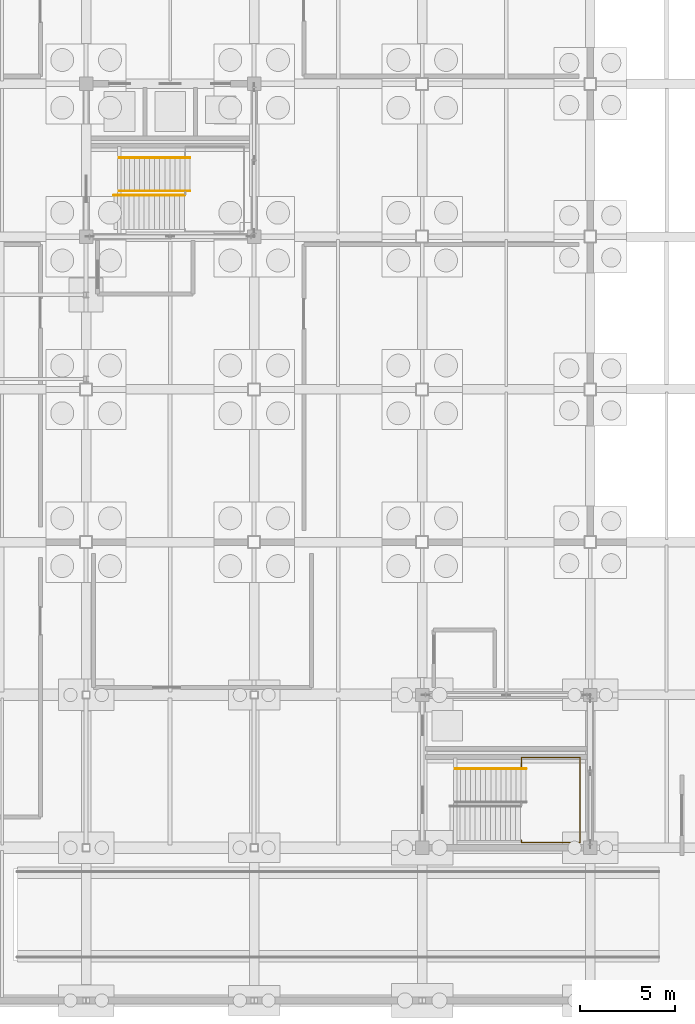
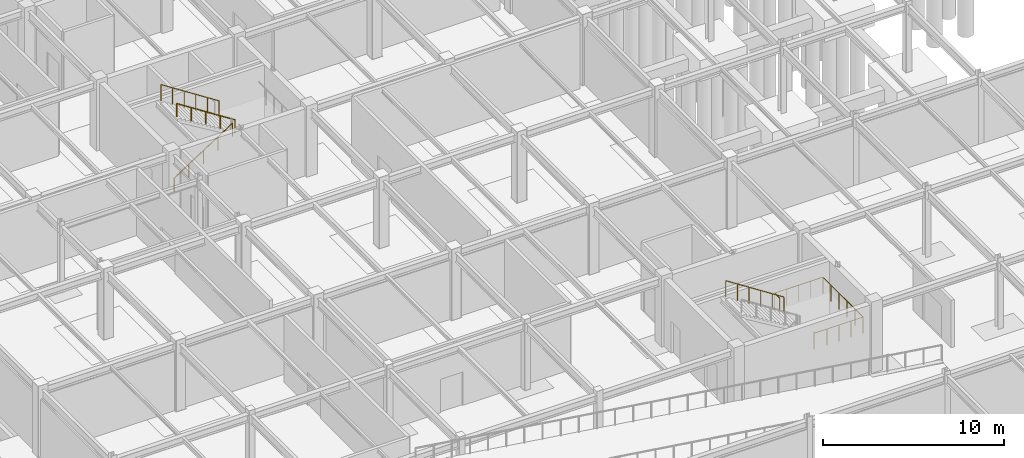
# One storey, part 67 of 72: 5 railings.
"""IFC4 building model written with IfcOpenShell, lengths in metres."""

from ifc_helpers import new_model, si_unit, direction, frame, origin, origin_2d, place, context, subcontext, project, spatial, circle, extrude, material, type_object, element, save


model = new_model("IFC4")

# Units and contexts
model_context = context("Model", 3, precision=1e-05, world=origin(), true_north=direction((0.0, 1.0)))
body_context = subcontext(model_context, "Body", "Model", "MODEL_VIEW")
ifc_project = project(units=[si_unit("LENGTHUNIT", "METRE"), si_unit("AREAUNIT", "SQUARE_METRE"), si_unit("VOLUMEUNIT", "CUBIC_METRE"), si_unit("PLANEANGLEUNIT", "RADIAN"), si_unit("MASSUNIT", "GRAM", prefix="KILO")], contexts=[model_context])

# Site, building, storey
site_placement = place(None, origin())
site = spatial("IfcSite", under=ifc_project, at=site_placement, CompositionType="ELEMENT")
building_placement = place(site_placement, origin())
building = spatial("IfcBuilding", under=site, at=building_placement, Name="Zhaolan Boulevard Law Courts", CompositionType="ELEMENT")
storey_placement = place(building_placement, frame((0.0, 0.0, -4.800048828125)))
storey = spatial("IfcBuildingStorey", under=building, at=storey_placement, Name="B1", CompositionType="ELEMENT", Elevation=-4.800048828125)

# Railings
ifc_material_1 = material(Name="Brushed stainless steel tubular handrail", Category="steel")
railing_type_1 = type_object("IfcRailingType", Name="STAIR HANDRAIL 900", PredefinedType="HANDRAIL", material=ifc_material_1)
railing_1_placement = place(storey_placement, frame((19.050048828125, 48.169921875, 0.0)))
element("IfcRailing", 1, at=railing_1_placement, inside=storey, type_object=railing_type_1, Name="Stair Handrail HR-ST01-B1-1", PredefinedType="HANDRAIL", context=body_context, shape_type="SweptSolid", body=[
    extrude(circle(Radius=0.0224609375, at=origin_2d()), frame((0.0, 0.0, 0.87744140625), z_axis=(0.839613143467, 0.0, 0.543184838999), x_axis=(0.0, 1.0, 0.0)), (0.0, 0.0, 1.0), 4.418701171875),
    extrude(circle(Radius=0.01904296875, at=origin_2d()), origin(), (0.0, 0.0, 1.0), 0.85498046875),
    extrude(circle(Radius=0.01904296875, at=origin_2d()), frame((0.927490234375, 0.0, 0.60009765625)), (0.0, 0.0, 1.0), 0.85498046875),
    extrude(circle(Radius=0.01904296875, at=origin_2d()), frame((1.85498046875, 0.0, 1.2001953125)), (0.0, 0.0, 1.0), 0.85498046875),
    extrude(circle(Radius=0.01904296875, at=origin_2d()), frame((2.782470703125, 0.0, 1.800048828125)), (0.0, 0.0, 1.0), 0.85498046875),
    extrude(circle(Radius=0.01904296875, at=origin_2d()), frame((3.7099609375, 0.0, 2.400146484375)), (0.0, 0.0, 1.0), 0.85498046875),
])
railing_2_placement = place(storey_placement, frame((23.044921875, 48.389892578125, 2.400146484375)))
element("IfcRailing", 2, at=railing_2_placement, inside=storey, type_object=railing_type_1, Name="Stair Handrail HR-ST01-B1-2", PredefinedType="HANDRAIL", context=body_context, shape_type="SweptSolid", body=[
    extrude(circle(Radius=0.0224609375, at=origin_2d()), frame((0.0, 0.0, 0.87744140625), z_axis=(-0.839638341943, 0.0, 0.543145887161), x_axis=(0.0, -1.0, 0.0)), (0.0, 0.0, 1.0), 4.41845703125),
    extrude(circle(Radius=0.01904296875, at=origin_2d()), origin(), (0.0, 0.0, 1.0), 0.85498046875),
    extrude(circle(Radius=0.01904296875, at=origin_2d()), frame((-0.927490234375, 0.0, 0.60009765625)), (0.0, 0.0, 1.0), 0.85498046875),
    extrude(circle(Radius=0.01904296875, at=origin_2d()), frame((-1.85498046875, 0.0, 1.199951171875)), (0.0, 0.0, 1.0), 0.85498046875),
    extrude(circle(Radius=0.01904296875, at=origin_2d()), frame((-2.782470703125, 0.0, 1.7998046875)), (0.0, 0.0, 1.0), 0.85498046875),
    extrude(circle(Radius=0.01904296875, at=origin_2d()), frame((-3.7099609375, 0.0, 2.39990234375)), (0.0, 0.0, 1.0), 0.85498046875),
])
ifc_material_2 = material(Name="Powder-coated steel baluster guardrail", Category="steel")
railing_type_2 = type_object("IfcRailingType", Name="STAIR WELL GUARDRAIL 1120", PredefinedType="GUARDRAIL", material=ifc_material_2)
railing_3_placement = place(storey_placement, frame((23.044921875, 50.139892578125, 2.400146484375)))
element("IfcRailing", 3, at=railing_3_placement, inside=storey, type_object=railing_type_2, Name="Flight Guardrail SG-ST01-B1-F2", PredefinedType="GUARDRAIL", context=body_context, shape_type="SweptSolid", body=[
    extrude(circle(Radius=0.02392578125, at=origin_2d()), frame((0.0, 0.0, 1.09619140625), z_axis=(-0.839638341943, 0.0, 0.543145887161), x_axis=(0.0, -1.0, 0.0)), (0.0, 0.0, 1.0), 4.41845703125),
    extrude(circle(Radius=0.02099609375, at=origin_2d()), origin(), (0.0, 0.0, 1.0), 1.072021484375),
    extrude(circle(Radius=0.02099609375, at=origin_2d()), frame((-0.741943359375, 0.0, 0.47998046875)), (0.0, 0.0, 1.0), 1.072021484375),
    extrude(circle(Radius=0.02099609375, at=origin_2d()), frame((-1.48388671875, 0.0, 0.9599609375)), (0.0, 0.0, 1.0), 1.072021484375),
    extrude(circle(Radius=0.02099609375, at=origin_2d()), frame((-2.22607421875, 0.0, 1.43994140625)), (0.0, 0.0, 1.0), 1.072021484375),
    extrude(circle(Radius=0.02099609375, at=origin_2d()), frame((-2.968017578125, 0.0, 1.919921875)), (0.0, 0.0, 1.0), 1.072021484375),
    extrude(circle(Radius=0.02099609375, at=origin_2d()), frame((-3.7099609375, 0.0, 2.39990234375)), (0.0, 0.0, 1.0), 1.072021484375),
])
railing_4_placement = place(storey_placement, frame((40.389892578125, 14.39990234375, 2.400146484375)))
element("IfcRailing", 4, at=railing_4_placement, inside=storey, type_object=railing_type_2, Name="Half-Landing Guardrail SG-ST04-B1-M", PredefinedType="GUARDRAIL", context=body_context, shape_type="SweptSolid", body=[
    extrude(circle(Radius=0.02392578125, at=origin_2d()), frame((0.0, 0.0, 1.09619140625), z_axis=(0.0, -1.0, 0.0), x_axis=(1.0, 0.0, 0.0)), (0.0, 0.0, 1.0), 0.119873046875),
    extrude(circle(Radius=0.02392578125, at=origin_2d()), frame((0.0, -0.119873046875, 1.09619140625), z_axis=(1.0, 0.0, 0.0), x_axis=(0.0, 1.0, 0.0)), (0.0, 0.0, 1.0), 3.080078125),
    extrude(circle(Radius=0.02392578125, at=origin_2d()), frame((3.080078125, -0.119873046875, 1.09619140625), z_axis=(0.0, 1.0, 0.0), x_axis=(-1.0, 0.0, 0.0)), (0.0, 0.0, 1.0), 4.43994140625),
    extrude(circle(Radius=0.02392578125, at=origin_2d()), frame((3.080078125, 4.320068359375, 1.09619140625), z_axis=(-1.0, 0.0, 0.0), x_axis=(0.0, -1.0, 0.0)), (0.0, 0.0, 1.0), 3.080078125),
    extrude(circle(Radius=0.02392578125, at=origin_2d()), frame((0.0, 4.320068359375, 1.09619140625), z_axis=(0.0, -1.0, 0.0), x_axis=(1.0, 0.0, 0.0)), (0.0, 0.0, 1.0), 0.56005859375),
    extrude(circle(Radius=0.02099609375, at=origin_2d()), origin(), (0.0, 0.0, 1.0), 1.072021484375),
    extrude(circle(Radius=0.02099609375, at=origin_2d()), frame((0.0, -0.119873046875, 0.0)), (0.0, 0.0, 1.0), 1.072021484375),
    extrude(circle(Radius=0.02099609375, at=origin_2d()), frame((0.77001953125, -0.119873046875, 0.0)), (0.0, 0.0, 1.0), 1.072021484375),
    extrude(circle(Radius=0.02099609375, at=origin_2d()), frame((1.5400390625, -0.119873046875, 0.0)), (0.0, 0.0, 1.0), 1.072021484375),
    extrude(circle(Radius=0.02099609375, at=origin_2d()), frame((2.31005859375, -0.119873046875, 0.0)), (0.0, 0.0, 1.0), 1.072021484375),
    extrude(circle(Radius=0.02099609375, at=origin_2d()), frame((3.080078125, -0.119873046875, 0.0)), (0.0, 0.0, 1.0), 1.072021484375),
    extrude(circle(Radius=0.02099609375, at=origin_2d()), frame((3.080078125, 0.76806640625, 0.0)), (0.0, 0.0, 1.0), 1.072021484375),
    extrude(circle(Radius=0.02099609375, at=origin_2d()), frame((3.080078125, 1.656005859375, 0.0)), (0.0, 0.0, 1.0), 1.072021484375),
    extrude(circle(Radius=0.02099609375, at=origin_2d()), frame((3.080078125, 2.544189453125, 0.0)), (0.0, 0.0, 1.0), 1.072021484375),
    extrude(circle(Radius=0.02099609375, at=origin_2d()), frame((3.080078125, 3.43212890625, 0.0)), (0.0, 0.0, 1.0), 1.072021484375),
    extrude(circle(Radius=0.02099609375, at=origin_2d()), frame((3.080078125, 4.320068359375, 0.0)), (0.0, 0.0, 1.0), 1.072021484375),
    extrude(circle(Radius=0.02099609375, at=origin_2d()), frame((2.31005859375, 4.320068359375, 0.0)), (0.0, 0.0, 1.0), 1.072021484375),
    extrude(circle(Radius=0.02099609375, at=origin_2d()), frame((1.5400390625, 4.320068359375, 0.0)), (0.0, 0.0, 1.0), 1.072021484375),
    extrude(circle(Radius=0.02099609375, at=origin_2d()), frame((0.77001953125, 4.320068359375, 0.0)), (0.0, 0.0, 1.0), 1.072021484375),
    extrude(circle(Radius=0.02099609375, at=origin_2d()), frame((0.0, 4.320068359375, 0.0)), (0.0, 0.0, 1.0), 1.072021484375),
    extrude(circle(Radius=0.02099609375, at=origin_2d()), frame((0.0, 3.760009765625, 0.0)), (0.0, 0.0, 1.0), 1.072021484375),
])
railing_5_placement = place(storey_placement, frame((40.64501953125, 18.139892578125, 2.400146484375)))
element("IfcRailing", 5, at=railing_5_placement, inside=storey, type_object=railing_type_2, Name="Flight Guardrail SG-ST04-B1-F2", PredefinedType="GUARDRAIL", context=body_context, shape_type="SweptSolid", body=[
    extrude(circle(Radius=0.02392578125, at=origin_2d()), frame((0.0, 0.0, 1.09619140625), z_axis=(-0.839638341943, 0.0, 0.543145887161), x_axis=(0.0, -1.0, 0.0)), (0.0, 0.0, 1.0), 4.41845703125),
    extrude(circle(Radius=0.02099609375, at=origin_2d()), origin(), (0.0, 0.0, 1.0), 1.072021484375),
    extrude(circle(Radius=0.02099609375, at=origin_2d()), frame((-0.741943359375, 0.0, 0.47998046875)), (0.0, 0.0, 1.0), 1.072021484375),
    extrude(circle(Radius=0.02099609375, at=origin_2d()), frame((-1.48388671875, 0.0, 0.9599609375)), (0.0, 0.0, 1.0), 1.072021484375),
    extrude(circle(Radius=0.02099609375, at=origin_2d()), frame((-2.22607421875, 0.0, 1.43994140625)), (0.0, 0.0, 1.0), 1.072021484375),
    extrude(circle(Radius=0.02099609375, at=origin_2d()), frame((-2.968017578125, 0.0, 1.919921875)), (0.0, 0.0, 1.0), 1.072021484375),
    extrude(circle(Radius=0.02099609375, at=origin_2d()), frame((-3.7099609375, 0.0, 2.39990234375)), (0.0, 0.0, 1.0), 1.072021484375),
])

save(model, "model.ifc")
